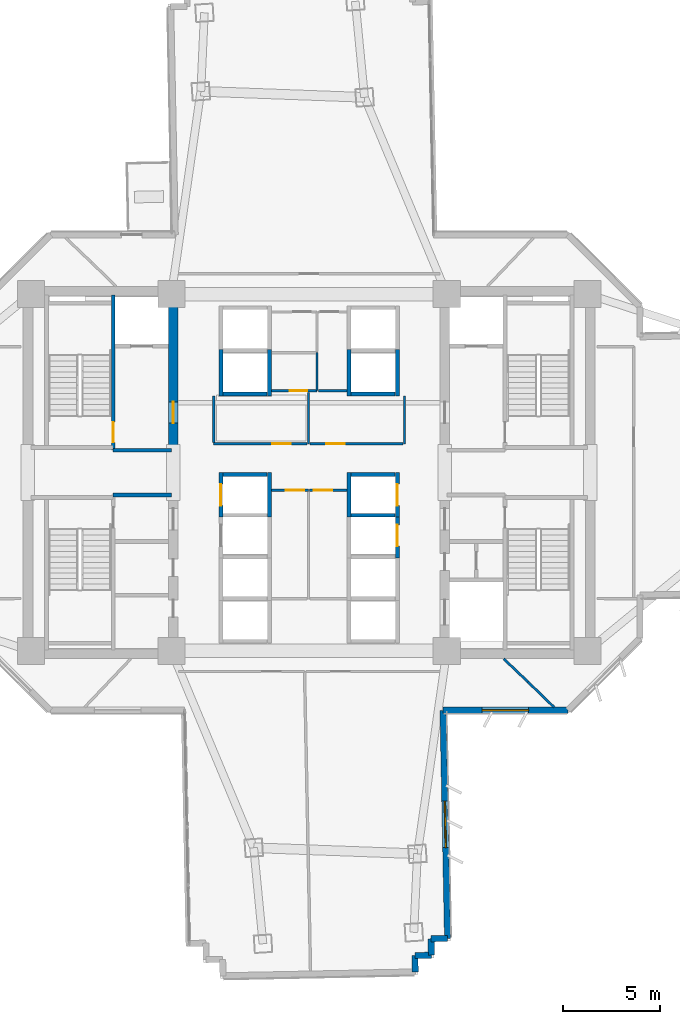
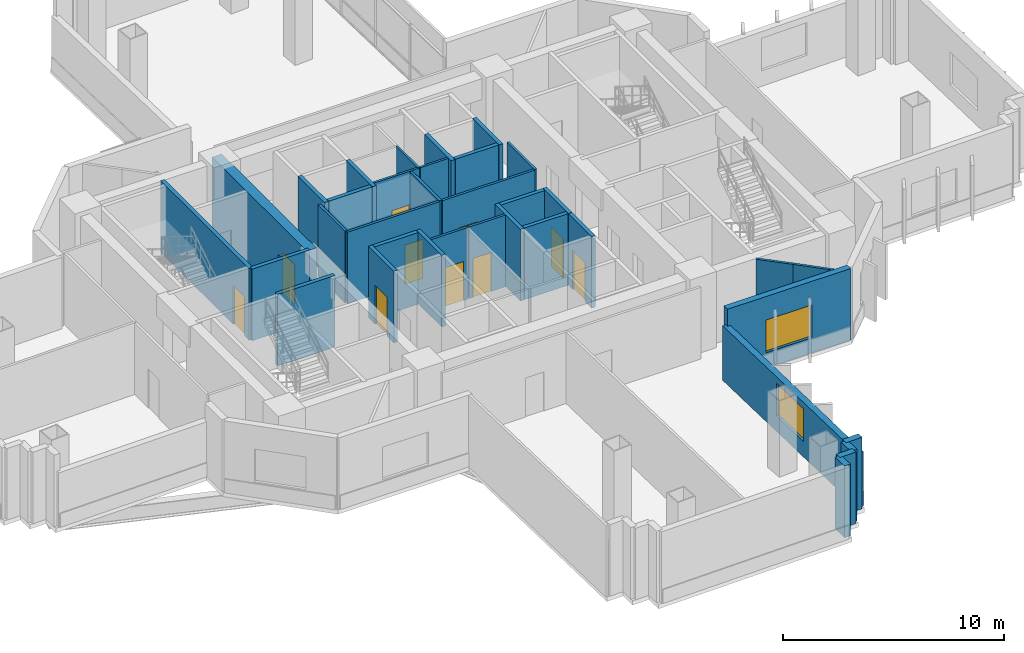
# One storey, part 7 of 15: 36 walls, 10 doors, 2 windows, 12 openings.
"""IFC4 building model written with IfcOpenShell, lengths in metres."""

from ifc_helpers import new_model, si_unit, direction, frame, frame_2d, origin, place, context, subcontext, project, spatial, rectangle, extrude, source, transform, mapped, material, layer, layer_set, type_object, element, fill, save


model = new_model("IFC4")

# Units and contexts
model_context = context("Model", 3, precision=1e-05, world=origin(), true_north=direction((0.0, 1.0)))
body_context = subcontext(model_context, "Body", "Model", "MODEL_VIEW")
ifc_project = project(units=[si_unit("LENGTHUNIT", "METRE"), si_unit("AREAUNIT", "SQUARE_METRE"), si_unit("VOLUMEUNIT", "CUBIC_METRE"), si_unit("PLANEANGLEUNIT", "RADIAN"), si_unit("MASSUNIT", "GRAM", prefix="KILO")], contexts=[model_context])

# Site, building, storey
site_placement = place(None, origin())
site = spatial("IfcSite", under=ifc_project, at=site_placement, CompositionType="ELEMENT")
building_placement = place(site_placement, origin())
building = spatial("IfcBuilding", under=site, at=building_placement, Name="Zahravan Cultural Tower", CompositionType="ELEMENT")
storey_placement = place(building_placement, frame((0.0, 0.0, 50.10009765625)))
storey = spatial("IfcBuildingStorey", under=building, at=storey_placement, Name="L10", CompositionType="ELEMENT", Elevation=50.10009765625)

# Wall, opening, door
ifc_material_1 = material(Name="Concrete C60/75", Category="concrete")
ifc_layer_1 = layer(ifc_material_1, 0.5)
ifc_layer_set_1 = layer_set([ifc_layer_1], Name="Concrete C60/75")
wall_type_1 = type_object("IfcWallType", Name="CW-SHEAR-500-C60", PredefinedType="SHEAR", material=ifc_layer_set_1)
wall_1_placement = place(storey_placement, frame((29.0, 28.050048828125, 0.0), z_axis=(0.0, 0.0, 1.0), x_axis=(0.0, 1.0, 0.0)))
wall_1 = element("IfcWall", 1, at=wall_1_placement, inside=storey, type_object=wall_type_1, Name="L10 Core Shear Wall CW-W-EN-L10", PredefinedType="SHEAR", context=body_context, shape_type="SweptSolid", body=[
    extrude(rectangle(XDim=8.550048828125, YDim=0.5, at=frame_2d((4.27490234375, 0.0))), origin(), (0.0, 0.0, 1.0), 3.949951171875),
])
opening_1_placement = place(wall_1_placement, frame((1.5, 0.0, 0.0)))
opening_1 = element("IfcOpeningElement", 2, at=opening_1_placement, cuts=wall_1, Name="Opening D-L10-05", PredefinedType="OPENING", context=body_context, shape_type="SweptSolid", body=[
    extrude(rectangle(XDim=1.10009765625, YDim=2.199951171875, at=frame_2d((0.550048828125, 1.10009765625))), frame((0.0, 0.260009765625, 0.0), z_axis=(0.0, -1.0, 0.0), x_axis=(1.0, 0.0, 0.0)), (0.0, 0.0, 1.0), 0.52001953125),
])
ifc_material_2 = material(Name="Steel ASTM A572 Grade 50", Category="steel")
door_type_1 = type_object("IfcDoorType", Name="DR-LOBBY-1100", OperationType="NOTDEFINED", PredefinedType="DOOR", material=ifc_material_2)
shared_shape_1 = source(origin(), body_context, "Body", "SweptSolid", [
    extrude(rectangle(XDim=1.10009765625, YDim=2.199951171875, at=frame_2d((0.550048828125, 1.10009765625))), frame((0.0, 0.02490234375, 0.0), z_axis=(0.0, -1.0, 0.0), x_axis=(1.0, 0.0, 0.0)), (0.0, 0.0, 1.0), 0.050048828125),
])
door_1_placement = place(opening_1_placement, origin())
door_1 = element("IfcDoor", 3, at=door_1_placement, inside=storey, type_object=door_type_1, Name="L10 Door D-L10-05", OperationType="SINGLE_SWING_RIGHT", OverallHeight=2.199951171875, OverallWidth=1.10009765625, PredefinedType="DOOR", context=body_context, shape_type="MappedRepresentation", body=[
    mapped(shared_shape_1, transform((0.0, 0.0, 0.0), x_axis=(1.0, 0.0, 0.0), y_axis=(0.0, 1.0, 0.0), z_axis=(0.0, 0.0, 1.0), scale=1.0)),
])
fill(opening_1, door_1)

# Wall, opening, window
ifc_material_3 = material(Name="Precast concrete C40/50", Category="concrete")
ifc_layer_2 = layer(ifc_material_3, 0.320068359375)
ifc_layer_set_2 = layer_set([ifc_layer_2], Name="Precast concrete C40/50")
wall_type_2 = type_object("IfcWallType", Name="EW-TC-320", PredefinedType="SOLIDWALL", material=ifc_layer_set_2)
wall_2_placement = place(storey_placement, frame((49.342041015625, 14.739990234375, 0.0), z_axis=(0.0, 0.0, 1.0), x_axis=(-1.0, 0.0, 0.0)))
wall_2 = element("IfcWall", 4, at=wall_2_placement, inside=storey, type_object=wall_type_2, Name="L10 Exterior Masonry Frame Wall 14", PredefinedType="SOLIDWALL", context=body_context, shape_type="SweptSolid", body=[
    extrude(rectangle(XDim=6.436767578125, YDim=0.320068359375, at=frame_2d((3.21826171875, 0.0))), origin(), (0.0, 0.0, 1.0), 3.949951171875),
])
opening_2_placement = place(wall_2_placement, frame((2.01806640625, 0.0, 0.85009765625)))
opening_2 = element("IfcOpeningElement", 5, at=opening_2_placement, cuts=wall_2, Name="Opening WN-01", PredefinedType="OPENING", context=body_context, shape_type="SweptSolid", body=[
    extrude(rectangle(XDim=2.39990234375, YDim=1.800048828125, at=frame_2d((1.199951171875, 0.89990234375))), frame((0.0, 0.169921875, 0.0), z_axis=(0.0, -1.0, 0.0), x_axis=(1.0, 0.0, 0.0)), (0.0, 0.0, 1.0), 0.340087890625),
])
ifc_material_4 = material(Name="Low-E solar-control double glazing", Category="glass")
window_type = type_object("IfcWindowType", Name="WN-REC-2400X1800", PartitioningType="DOUBLE_PANEL_VERTICAL", PredefinedType="WINDOW", material=ifc_material_4)
shared_shape_2 = source(origin(), body_context, "Body", "SweptSolid", [
    extrude(rectangle(XDim=2.39990234375, YDim=1.800048828125, at=frame_2d((1.199951171875, 0.89990234375))), frame((0.0, 0.030029296875, 0.0), z_axis=(0.0, -1.0, 0.0), x_axis=(1.0, 0.0, 0.0)), (0.0, 0.0, 1.0), 0.06005859375),
])
window_1_placement = place(opening_2_placement, origin())
window_1 = element("IfcWindow", 6, at=window_1_placement, inside=storey, type_object=window_type, Name="L10 Recessed Solar Window 05", OverallHeight=1.800048828125, OverallWidth=2.39990234375, PartitioningType="DOUBLE_PANEL_VERTICAL", PredefinedType="WINDOW", context=body_context, shape_type="MappedRepresentation", body=[
    mapped(shared_shape_2, transform((0.0, 0.0, 0.0), x_axis=(1.0, 0.0, 0.0), y_axis=(0.0, 1.0, 0.0), z_axis=(0.0, 0.0, 1.0), scale=1.0)),
])
fill(opening_2, window_1)

wall_3_placement = place(storey_placement, frame((42.9052734375, 14.739990234375, 0.0), z_axis=(0.0, 0.0, 1.0), x_axis=(0.019900582882, -0.999801963791, 0.0)))
wall_3 = element("IfcWall", 7, at=wall_3_placement, inside=storey, type_object=wall_type_2, Name="L10 Exterior Masonry Frame Wall 15", PredefinedType="SOLIDWALL", context=body_context, shape_type="SweptSolid", body=[
    extrude(rectangle(XDim=11.76513671875, YDim=0.320068359375, at=frame_2d((5.882568359375, 0.0))), origin(), (0.0, 0.0, 1.0), 3.010009765625),
])
opening_3_placement = place(wall_3_placement, frame((4.68310546875, 0.0, 0.85009765625)))
opening_3 = element("IfcOpeningElement", 8, at=opening_3_placement, cuts=wall_3, Name="Opening WN-01", PredefinedType="OPENING", context=body_context, shape_type="SweptSolid", body=[
    extrude(rectangle(XDim=2.39990234375, YDim=1.800048828125, at=frame_2d((1.199951171875, 0.89990234375))), frame((0.0, 0.169921875, 0.0), z_axis=(0.0, -1.0, 0.0), x_axis=(1.0, 0.0, 0.0)), (0.0, 0.0, 1.0), 0.340087890625),
])
window_2_placement = place(opening_3_placement, origin())
window_2 = element("IfcWindow", 9, at=window_2_placement, inside=storey, type_object=window_type, Name="L10 Recessed Solar Window 06", OverallHeight=1.800048828125, OverallWidth=2.39990234375, PartitioningType="DOUBLE_PANEL_VERTICAL", PredefinedType="WINDOW", context=body_context, shape_type="MappedRepresentation", body=[
    mapped(shared_shape_2, transform((0.0, 0.0, 0.0), x_axis=(1.0, 0.0, 0.0), y_axis=(0.0, 1.0, 0.0), z_axis=(0.0, 0.0, 1.0), scale=1.0)),
])
fill(opening_3, window_2)

# Wall, opening, door
ifc_material_5 = material(Name="Gypsum plasterboard partition")
ifc_layer_3 = layer(ifc_material_5, 0.125)
ifc_layer_set_3 = layer_set([ifc_layer_3], Name="Gypsum plasterboard partition")
wall_type_3 = type_object("IfcWallType", Name="W-PART-125", PredefinedType="PARTITIONING", material=ifc_layer_set_3)
wall_4_placement = place(storey_placement, frame((34.054931640625, 26.080078125, 0.0), z_axis=(0.0, 0.0, 1.0), x_axis=(1.0, 0.0, 0.0)))
wall_4 = element("IfcWall", 10, at=wall_4_placement, inside=storey, type_object=wall_type_3, Name="L10 Interior Wall 075", PredefinedType="PARTITIONING", context=body_context, shape_type="SweptSolid", body=[
    extrude(rectangle(XDim=1.9150390625, YDim=0.125, at=frame_2d((0.95751953125, 0.0))), origin(), (0.0, 0.0, 1.0), 3.949951171875),
])
opening_4_placement = place(wall_4_placement, frame((0.752685546875, 0.0, 0.0)))
opening_4 = element("IfcOpeningElement", 11, at=opening_4_placement, cuts=wall_4, Name="Opening D-L10-15", PredefinedType="OPENING", context=body_context, shape_type="SweptSolid", body=[
    extrude(rectangle(XDim=0.949951171875, YDim=2.14990234375, at=frame_2d((0.47509765625, 1.074951171875))), frame((0.0, 0.072509765625, 0.0), z_axis=(0.0, -1.0, 0.0), x_axis=(1.0, 0.0, 0.0)), (0.0, 0.0, 1.0), 0.14501953125),
])
ifc_material_6 = material(Name="Anodised bronze-aluminium mullion", Category="aluminium")
door_type_2 = type_object("IfcDoorType", Name="DR-ROOM-950", OperationType="NOTDEFINED", PredefinedType="DOOR", material=ifc_material_6)
shared_shape_3 = source(origin(), body_context, "Body", "SweptSolid", [
    extrude(rectangle(XDim=0.949951171875, YDim=2.14990234375, at=frame_2d((0.47509765625, 1.074951171875))), frame((0.0, 0.02490234375, 0.0), z_axis=(0.0, -1.0, 0.0), x_axis=(1.0, 0.0, 0.0)), (0.0, 0.0, 1.0), 0.050048828125),
])
door_2_placement = place(opening_4_placement, origin())
door_2 = element("IfcDoor", 12, at=door_2_placement, inside=storey, type_object=door_type_2, Name="L10 Door D-L10-15", OperationType="SINGLE_SWING_RIGHT", OverallHeight=2.14990234375, OverallWidth=0.949951171875, PredefinedType="DOOR", context=body_context, shape_type="MappedRepresentation", body=[
    mapped(shared_shape_3, transform((0.0, 0.0, 0.0), x_axis=(1.0, 0.0, 0.0), y_axis=(0.0, 1.0, 0.0), z_axis=(0.0, 0.0, 1.0), scale=1.0)),
])
fill(opening_4, door_2)

wall_5_placement = place(storey_placement, frame((36.030029296875, 26.080078125, 0.0), z_axis=(0.0, 0.0, 1.0), x_axis=(1.0, 0.0, 0.0)))
wall_5 = element("IfcWall", 13, at=wall_5_placement, inside=storey, type_object=wall_type_3, Name="L10 Interior Wall 078", PredefinedType="PARTITIONING", context=body_context, shape_type="SweptSolid", body=[
    extrude(rectangle(XDim=1.9150390625, YDim=0.125, at=frame_2d((0.95751953125, 0.0))), origin(), (0.0, 0.0, 1.0), 3.949951171875),
])
opening_5_placement = place(wall_5_placement, frame((0.21240234375, 0.0, 0.0)))
opening_5 = element("IfcOpeningElement", 14, at=opening_5_placement, cuts=wall_5, Name="Opening D-L10-16", PredefinedType="OPENING", context=body_context, shape_type="SweptSolid", body=[
    extrude(rectangle(XDim=0.949951171875, YDim=2.14990234375, at=frame_2d((0.47509765625, 1.074951171875))), frame((0.0, 0.072509765625, 0.0), z_axis=(0.0, -1.0, 0.0), x_axis=(1.0, 0.0, 0.0)), (0.0, 0.0, 1.0), 0.14501953125),
])
door_3_placement = place(opening_5_placement, origin())
door_3 = element("IfcDoor", 15, at=door_3_placement, inside=storey, type_object=door_type_2, Name="L10 Door D-L10-16", OperationType="SINGLE_SWING_LEFT", OverallHeight=2.14990234375, OverallWidth=0.949951171875, PredefinedType="DOOR", context=body_context, shape_type="MappedRepresentation", body=[
    mapped(shared_shape_3, transform((0.0, 0.0, 0.0), x_axis=(1.0, 0.0, 0.0), y_axis=(0.0, 1.0, 0.0), z_axis=(0.0, 0.0, 1.0), scale=1.0)),
])
fill(opening_5, door_3)

wall_6_placement = place(storey_placement, frame((35.902587890625, 28.47998046875, 0.0), z_axis=(0.0, 0.0, 1.0), x_axis=(-1.0, 0.0, 0.0)))
wall_6 = element("IfcWall", 16, at=wall_6_placement, inside=storey, type_object=wall_type_3, Name="L10 Interior Wall 081", PredefinedType="PARTITIONING", context=body_context, shape_type="SweptSolid", body=[
    extrude(rectangle(XDim=4.822509765625, YDim=0.125, at=frame_2d((2.4111328125, 0.0))), origin(), (0.0, 0.0, 1.0), 3.949951171875),
])
opening_6_placement = place(wall_6_placement, frame((0.85205078125, 0.0, 0.0)))
opening_6 = element("IfcOpeningElement", 17, at=opening_6_placement, cuts=wall_6, Name="Opening D-L10-17", PredefinedType="OPENING", context=body_context, shape_type="SweptSolid", body=[
    extrude(rectangle(XDim=0.949951171875, YDim=2.14990234375, at=frame_2d((0.47509765625, 1.074951171875))), frame((0.0, 0.072509765625, 0.0), z_axis=(0.0, -1.0, 0.0), x_axis=(1.0, 0.0, 0.0)), (0.0, 0.0, 1.0), 0.14501953125),
])
door_4_placement = place(opening_6_placement, origin())
door_4 = element("IfcDoor", 18, at=door_4_placement, inside=storey, type_object=door_type_2, Name="L10 Door D-L10-17", OperationType="SINGLE_SWING_RIGHT", OverallHeight=2.14990234375, OverallWidth=0.949951171875, PredefinedType="DOOR", context=body_context, shape_type="MappedRepresentation", body=[
    mapped(shared_shape_3, transform((0.0, 0.0, 0.0), x_axis=(1.0, 0.0, 0.0), y_axis=(0.0, 1.0, 0.0), z_axis=(0.0, 0.0, 1.0), scale=1.0)),
])
fill(opening_6, door_4)

wall_7_placement = place(storey_placement, frame((40.8525390625, 28.47998046875, 0.0), z_axis=(0.0, 0.0, 1.0), x_axis=(-1.0, 0.0, 0.0)))
wall_7 = element("IfcWall", 19, at=wall_7_placement, inside=storey, type_object=wall_type_3, Name="L10 Interior Wall 084", PredefinedType="PARTITIONING", context=body_context, shape_type="SweptSolid", body=[
    extrude(rectangle(XDim=4.81494140625, YDim=0.125, at=frame_2d((2.407470703125, 0.0))), origin(), (0.0, 0.0, 1.0), 3.949951171875),
])
opening_7_placement = place(wall_7_placement, frame((3.0146484375, 0.0, 0.0)))
opening_7 = element("IfcOpeningElement", 20, at=opening_7_placement, cuts=wall_7, Name="Opening D-L10-18", PredefinedType="OPENING", context=body_context, shape_type="SweptSolid", body=[
    extrude(rectangle(XDim=0.949951171875, YDim=2.14990234375, at=frame_2d((0.47509765625, 1.074951171875))), frame((0.0, 0.072509765625, 0.0), z_axis=(0.0, -1.0, 0.0), x_axis=(1.0, 0.0, 0.0)), (0.0, 0.0, 1.0), 0.14501953125),
])
door_5_placement = place(opening_7_placement, origin())
door_5 = element("IfcDoor", 21, at=door_5_placement, inside=storey, type_object=door_type_2, Name="L10 Door D-L10-18", OperationType="SINGLE_SWING_LEFT", OverallHeight=2.14990234375, OverallWidth=0.949951171875, PredefinedType="DOOR", context=body_context, shape_type="MappedRepresentation", body=[
    mapped(shared_shape_3, transform((0.0, 0.0, 0.0), x_axis=(1.0, 0.0, 0.0), y_axis=(0.0, 1.0, 0.0), z_axis=(0.0, 0.0, 1.0), scale=1.0)),
])
fill(opening_7, door_5)

ifc_material_7 = material(Name="Concrete C45/55", Category="concrete")
ifc_layer_4 = layer(ifc_material_7, 0.199951171875)
ifc_layer_set_4 = layer_set([ifc_layer_4], Name="Concrete C45/55")
wall_type_4 = type_object("IfcWallType", Name="W-SHAFT-200", PredefinedType="SOLIDWALL", material=ifc_layer_set_4)
wall_8_placement = place(storey_placement, frame((25.89990234375, 28.14990234375, 0.0), z_axis=(0.0, 0.0, 1.0), x_axis=(0.0, 1.0, 0.0)))
wall_8 = element("IfcWall", 22, at=wall_8_placement, inside=storey, type_object=wall_type_4, Name="L10 Interior Wall 006", PredefinedType="SOLIDWALL", context=body_context, shape_type="SweptSolid", body=[
    extrude(rectangle(XDim=8.0, YDim=0.199951171875, at=frame_2d((4.0, 0.0))), origin(), (0.0, 0.0, 1.0), 3.949951171875),
])
opening_8_placement = place(wall_8_placement, frame((0.39990234375, 0.0, 0.0)))
opening_8 = element("IfcOpeningElement", 23, at=opening_8_placement, cuts=wall_8, Name="Opening D-L10-01", PredefinedType="OPENING", context=body_context, shape_type="SweptSolid", body=[
    extrude(rectangle(XDim=1.050048828125, YDim=2.14990234375, at=frame_2d((0.52490234375, 1.074951171875))), frame((0.0, 0.10986328125, 0.0), z_axis=(0.0, -1.0, 0.0), x_axis=(1.0, 0.0, 0.0)), (0.0, 0.0, 1.0), 0.219970703125),
])
door_type_3 = type_object("IfcDoorType", Name="DR-STAIR-1050", OperationType="NOTDEFINED", PredefinedType="DOOR", material=ifc_material_2)
shared_shape_4 = source(origin(), body_context, "Body", "SweptSolid", [
    extrude(rectangle(XDim=1.050048828125, YDim=2.14990234375, at=frame_2d((0.52490234375, 1.074951171875))), frame((0.0, 0.02490234375, 0.0), z_axis=(0.0, -1.0, 0.0), x_axis=(1.0, 0.0, 0.0)), (0.0, 0.0, 1.0), 0.050048828125),
])
door_6_placement = place(opening_8_placement, origin())
door_6 = element("IfcDoor", 24, at=door_6_placement, inside=storey, type_object=door_type_3, Name="L10 Door D-L10-01", OperationType="SINGLE_SWING_RIGHT", OverallHeight=2.14990234375, OverallWidth=1.050048828125, PredefinedType="DOOR", context=body_context, shape_type="MappedRepresentation", body=[
    mapped(shared_shape_4, transform((0.0, 0.0, 0.0), x_axis=(1.0, 0.0, 0.0), y_axis=(0.0, 1.0, 0.0), z_axis=(0.0, 0.0, 1.0), scale=1.0)),
])
fill(opening_8, door_6)

wall_9_placement = place(storey_placement, frame((31.449951171875, 24.699951171875, 0.0), z_axis=(0.0, 0.0, 1.0), x_axis=(0.0, 1.0, 0.0)))
wall_9 = element("IfcWall", 25, at=wall_9_placement, inside=storey, type_object=wall_type_4, Name="L10 Interior Wall 056", PredefinedType="SOLIDWALL", context=body_context, shape_type="SweptSolid", body=[
    extrude(rectangle(XDim=2.300048828125, YDim=0.199951171875, at=frame_2d((1.14990234375, 0.0))), origin(), (0.0, 0.0, 1.0), 3.949951171875),
])
opening_9_placement = place(wall_9_placement, frame((0.60009765625, 0.0, 0.0)))
opening_9 = element("IfcOpeningElement", 26, at=opening_9_placement, cuts=wall_9, Name="Opening LD-L10-04", PredefinedType="OPENING", context=body_context, shape_type="SweptSolid", body=[
    extrude(rectangle(XDim=1.10009765625, YDim=2.14990234375, at=frame_2d((0.550048828125, 1.074951171875))), frame((0.0, 0.10986328125, 0.0), z_axis=(0.0, -1.0, 0.0), x_axis=(1.0, 0.0, 0.0)), (0.0, 0.0, 1.0), 0.219970703125),
])
door_type_4 = type_object("IfcDoorType", Name="DR-LIFT-1100", OperationType="DOUBLE_DOOR_SLIDING", PredefinedType="DOOR", material=ifc_material_2)
shared_shape_5 = source(origin(), body_context, "Body", "SweptSolid", [
    extrude(rectangle(XDim=1.10009765625, YDim=2.14990234375, at=frame_2d((0.550048828125, 1.074951171875))), frame((0.0, 0.02490234375, 0.0), z_axis=(0.0, -1.0, 0.0), x_axis=(1.0, 0.0, 0.0)), (0.0, 0.0, 1.0), 0.050048828125),
])
door_7_placement = place(opening_9_placement, origin())
door_7 = element("IfcDoor", 27, at=door_7_placement, inside=storey, type_object=door_type_4, Name="L10 Door LD-L10-04", OperationType="DOUBLE_DOOR_SLIDING", OverallHeight=2.14990234375, OverallWidth=1.10009765625, PredefinedType="DOOR", context=body_context, shape_type="MappedRepresentation", body=[
    mapped(shared_shape_5, transform((0.0, 0.0, 0.0), x_axis=(1.0, 0.0, 0.0), y_axis=(0.0, 1.0, 0.0), z_axis=(0.0, 0.0, 1.0), scale=1.0)),
])
fill(opening_9, door_7)

wall_10_placement = place(storey_placement, frame((40.550048828125, 24.699951171875, 0.0), z_axis=(0.0, 0.0, 1.0), x_axis=(0.0, 1.0, 0.0)))
wall_10 = element("IfcWall", 28, at=wall_10_placement, inside=storey, type_object=wall_type_4, Name="L10 Interior Wall 063", PredefinedType="SOLIDWALL", context=body_context, shape_type="SweptSolid", body=[
    extrude(rectangle(XDim=2.300048828125, YDim=0.199951171875, at=frame_2d((1.14990234375, 0.0))), origin(), (0.0, 0.0, 1.0), 3.949951171875),
])
opening_10_placement = place(wall_10_placement, frame((0.60009765625, 0.0, 0.0)))
opening_10 = element("IfcOpeningElement", 29, at=opening_10_placement, cuts=wall_10, Name="Opening LD-L10-06", PredefinedType="OPENING", context=body_context, shape_type="SweptSolid", body=[
    extrude(rectangle(XDim=1.10009765625, YDim=2.14990234375, at=frame_2d((0.550048828125, 1.074951171875))), frame((0.0, 0.10986328125, 0.0), z_axis=(0.0, -1.0, 0.0), x_axis=(1.0, 0.0, 0.0)), (0.0, 0.0, 1.0), 0.219970703125),
])
door_8_placement = place(opening_10_placement, origin())
door_8 = element("IfcDoor", 30, at=door_8_placement, inside=storey, type_object=door_type_4, Name="L10 Door LD-L10-06", OperationType="DOUBLE_DOOR_SLIDING", OverallHeight=2.14990234375, OverallWidth=1.10009765625, PredefinedType="DOOR", context=body_context, shape_type="MappedRepresentation", body=[
    mapped(shared_shape_5, transform((0.0, 0.0, 0.0), x_axis=(1.0, 0.0, 0.0), y_axis=(0.0, 1.0, 0.0), z_axis=(0.0, 0.0, 1.0), scale=1.0)),
])
fill(opening_10, door_8)

wall_11_placement = place(storey_placement, frame((40.550048828125, 22.60009765625, 0.0), z_axis=(0.0, 0.0, 1.0), x_axis=(0.0, 1.0, 0.0)))
wall_11 = element("IfcWall", 31, at=wall_11_placement, inside=storey, type_object=wall_type_4, Name="L10 Interior Wall 067", PredefinedType="SOLIDWALL", context=body_context, shape_type="SweptSolid", body=[
    extrude(rectangle(XDim=2.2998046875, YDim=0.199951171875, at=frame_2d((1.14990234375, 0.0))), origin(), (0.0, 0.0, 1.0), 3.949951171875),
])
opening_11_placement = place(wall_11_placement, frame((0.60009765625, 0.0, 0.0)))
opening_11 = element("IfcOpeningElement", 32, at=opening_11_placement, cuts=wall_11, Name="Opening LD-L10-07", PredefinedType="OPENING", context=body_context, shape_type="SweptSolid", body=[
    extrude(rectangle(XDim=1.10009765625, YDim=2.14990234375, at=frame_2d((0.550048828125, 1.074951171875))), frame((0.0, 0.10986328125, 0.0), z_axis=(0.0, -1.0, 0.0), x_axis=(1.0, 0.0, 0.0)), (0.0, 0.0, 1.0), 0.219970703125),
])
door_9_placement = place(opening_11_placement, origin())
door_9 = element("IfcDoor", 33, at=door_9_placement, inside=storey, type_object=door_type_4, Name="L10 Door LD-L10-07", OperationType="DOUBLE_DOOR_SLIDING", OverallHeight=2.14990234375, OverallWidth=1.10009765625, PredefinedType="DOOR", context=body_context, shape_type="MappedRepresentation", body=[
    mapped(shared_shape_5, transform((0.0, 0.0, 0.0), x_axis=(1.0, 0.0, 0.0), y_axis=(0.0, 1.0, 0.0), z_axis=(0.0, 0.0, 1.0), scale=1.0)),
])
fill(opening_11, door_9)

ifc_layer_5 = layer(ifc_material_5, 0.114990234375)
ifc_layer_set_5 = layer_set([ifc_layer_5], Name="Gypsum plasterboard partition")
wall_type_5 = type_object("IfcWallType", Name="W-WC-115", PredefinedType="PARTITIONING", material=ifc_layer_set_5)
wall_12_placement = place(storey_placement, frame((36.409912109375, 31.219970703125, 0.0), z_axis=(0.0, 0.0, 1.0), x_axis=(-1.0, 0.0, 0.0)))
wall_12 = element("IfcWall", 34, at=wall_12_placement, inside=storey, type_object=wall_type_5, Name="L10 Interior Wall 068", PredefinedType="PARTITIONING", context=body_context, shape_type="SweptSolid", body=[
    extrude(rectangle(XDim=2.35498046875, YDim=0.114990234375, at=frame_2d((1.177490234375, 0.0))), origin(), (0.0, 0.0, 1.0), 3.949951171875),
])
opening_12_placement = place(wall_12_placement, frame((0.5166015625, 0.0, 0.0)))
opening_12 = element("IfcOpeningElement", 35, at=opening_12_placement, cuts=wall_12, Name="Opening D-L10-25", PredefinedType="OPENING", context=body_context, shape_type="SweptSolid", body=[
    extrude(rectangle(XDim=0.89990234375, YDim=2.10009765625, at=frame_2d((0.449951171875, 1.050048828125))), frame((0.0, 0.0673828125, 0.0), z_axis=(0.0, -1.0, 0.0), x_axis=(1.0, 0.0, 0.0)), (0.0, 0.0, 1.0), 0.135009765625),
])
door_type_5 = type_object("IfcDoorType", Name="DR-WC-900", OperationType="NOTDEFINED", PredefinedType="DOOR", material=ifc_material_6)
shared_shape_6 = source(origin(), body_context, "Body", "SweptSolid", [
    extrude(rectangle(XDim=0.89990234375, YDim=2.10009765625, at=frame_2d((0.449951171875, 1.050048828125))), frame((0.0, 0.02490234375, 0.0), z_axis=(0.0, -1.0, 0.0), x_axis=(1.0, 0.0, 0.0)), (0.0, 0.0, 1.0), 0.050048828125),
])
door_10_placement = place(opening_12_placement, origin())
door_10 = element("IfcDoor", 36, at=door_10_placement, inside=storey, type_object=door_type_5, Name="L10 Door D-L10-25", OperationType="SINGLE_SWING_RIGHT", OverallHeight=2.10009765625, OverallWidth=0.89990234375, PredefinedType="DOOR", context=body_context, shape_type="MappedRepresentation", body=[
    mapped(shared_shape_6, transform((0.0, 0.0, 0.0), x_axis=(1.0, 0.0, 0.0), y_axis=(0.0, 1.0, 0.0), z_axis=(0.0, 0.0, 1.0), scale=1.0)),
])
fill(opening_12, door_10)

# Walls
shared_shape_7 = source(origin(), body_context, "Body", "SweptSolid", [
    extrude(rectangle(XDim=0.849853515625, YDim=0.320068359375, at=frame_2d((0.4248046875, 0.0))), origin(), (0.0, 0.0, 1.0), 3.949951171875),
])
wall_13_placement = place(storey_placement, frame((41.45654296875, 2.093505859375, 0.0), z_axis=(0.0, 0.0, 1.0), x_axis=(0.019823689915, -0.999803491351, 0.0)))
element("IfcWall", 37, at=wall_13_placement, inside=storey, type_object=wall_type_2, Name="L10 Exterior Masonry Frame Wall 19", PredefinedType="SOLIDWALL", context=body_context, shape_type="MappedRepresentation", body=[
    mapped(shared_shape_7, transform((0.0, 0.0, 0.0), x_axis=(1.0, 0.0, 0.0), y_axis=(0.0, 1.0, 0.0), z_axis=(0.0, 0.0, 1.0), scale=1.0)),
])
shared_shape_8 = source(origin(), body_context, "Body", "SweptSolid", [
    extrude(rectangle(XDim=0.85009765625, YDim=0.320068359375, at=frame_2d((0.425048828125, 0.0))), origin(), (0.0, 0.0, 1.0), 3.949951171875),
])
for number, where, z_axis, x_axis, name in (
    (38, (43.139404296875, 2.977294921875, 0.0), (0.0, 0.0, 1.0), (-0.999803604205, -0.019817997326, 0.0), "L10 Exterior Masonry Frame Wall 16"),
    (39, (42.28955078125, 2.96044921875, 0.0), (0.0, 0.0, 1.0), (0.019817997326, -0.999803604205, 0.0), "L10 Exterior Masonry Frame Wall 17"),
    (40, (42.306396484375, 2.110595703125, 0.0), (0.0, 0.0, 1.0), (-0.999797872061, -0.020105099409, 0.0), "L10 Exterior Masonry Frame Wall 18"),
):
    element("IfcWall", number, at=place(storey_placement, frame(where, z_axis=z_axis, x_axis=x_axis)), inside=storey, type_object=wall_type_2, Name=name, PredefinedType="SOLIDWALL", context=body_context, shape_type="MappedRepresentation", body=[
        mapped(shared_shape_8, transform((0.0, 0.0, 0.0), x_axis=(1.0, 0.0, 0.0), y_axis=(0.0, 1.0, 0.0), z_axis=(0.0, 0.0, 1.0), scale=1.0)),
    ])
shared_shape_9 = source(origin(), body_context, "Body", "SweptSolid", [
    extrude(rectangle(XDim=3.0, YDim=0.199951171875, at=frame_2d((1.5, 0.0))), origin(), (0.0, 0.0, 1.0), 3.949951171875),
])
for number, where, z_axis, x_axis, name in (
    (41, (25.89990234375, 25.85009765625, 0.0), (0.0, 0.0, 1.0), (1.0, 0.0, 0.0), "L10 Interior Wall 010"),
    (42, (25.89990234375, 28.14990234375, 0.0), (0.0, 0.0, 1.0), (1.0, 0.0, 0.0), "L10 Interior Wall 012"),
):
    element("IfcWall", number, at=place(storey_placement, frame(where, z_axis=z_axis, x_axis=x_axis)), inside=storey, type_object=wall_type_4, Name=name, PredefinedType="SOLIDWALL", context=body_context, shape_type="MappedRepresentation", body=[
        mapped(shared_shape_9, transform((0.0, 0.0, 0.0), x_axis=(1.0, 0.0, 0.0), y_axis=(0.0, 1.0, 0.0), z_axis=(0.0, 0.0, 1.0), scale=1.0)),
    ])
shared_shape_10 = source(origin(), body_context, "Body", "SweptSolid", [
    extrude(rectangle(XDim=2.400146484375, YDim=0.199951171875, at=frame_2d((1.2001953125, 0.0))), origin(), (0.0, 0.0, 1.0), 3.949951171875),
])
for number, where, z_axis, x_axis, name in (
    (43, (31.449951171875, 30.949951171875, 0.0), (0.0, 0.0, 1.0), (0.0, 1.0, 0.0), "L10 Interior Wall 032"),
    (44, (33.949951171875, 30.949951171875, 0.0), (0.0, 0.0, 1.0), (0.0, 1.0, 0.0), "L10 Interior Wall 033"),
    (45, (38.050048828125, 30.949951171875, 0.0), (0.0, 0.0, 1.0), (0.0, 1.0, 0.0), "L10 Interior Wall 039"),
    (46, (40.550048828125, 30.949951171875, 0.0), (0.0, 0.0, 1.0), (0.0, 1.0, 0.0), "L10 Interior Wall 040"),
):
    element("IfcWall", number, at=place(storey_placement, frame(where, z_axis=z_axis, x_axis=x_axis)), inside=storey, type_object=wall_type_4, Name=name, PredefinedType="SOLIDWALL", context=body_context, shape_type="MappedRepresentation", body=[
        mapped(shared_shape_10, transform((0.0, 0.0, 0.0), x_axis=(1.0, 0.0, 0.0), y_axis=(0.0, 1.0, 0.0), z_axis=(0.0, 0.0, 1.0), scale=1.0)),
    ])
shared_shape_11 = source(origin(), body_context, "Body", "SweptSolid", [
    extrude(rectangle(XDim=2.260009765625, YDim=0.199951171875, at=frame_2d((1.1298828125, 0.0))), origin(), (0.0, 0.0, 1.0), 3.949951171875),
])
for number, where, z_axis, x_axis, name in (
    (47, (31.570068359375, 31.050048828125, 0.0), (0.0, 0.0, 1.0), (1.0, 0.0, 0.0), "L10 Interior Wall 034"),
    (48, (38.169921875, 31.050048828125, 0.0), (0.0, 0.0, 1.0), (1.0, 0.0, 0.0), "L10 Interior Wall 041"),
    (49, (31.570068359375, 26.89990234375, 0.0), (0.0, 0.0, 1.0), (1.0, 0.0, 0.0), "L10 Interior Wall 059"),
    (50, (38.169921875, 24.800048828125, 0.0), (0.0, 0.0, 1.0), (1.0, 0.0, 0.0), "L10 Interior Wall 064"),
    (51, (38.169921875, 26.89990234375, 0.0), (0.0, 0.0, 1.0), (1.0, 0.0, 0.0), "L10 Interior Wall 065"),
):
    element("IfcWall", number, at=place(storey_placement, frame(where, z_axis=z_axis, x_axis=x_axis)), inside=storey, type_object=wall_type_4, Name=name, PredefinedType="SOLIDWALL", context=body_context, shape_type="MappedRepresentation", body=[
        mapped(shared_shape_11, transform((0.0, 0.0, 0.0), x_axis=(1.0, 0.0, 0.0), y_axis=(0.0, 1.0, 0.0), z_axis=(0.0, 0.0, 1.0), scale=1.0)),
    ])
shared_shape_12 = source(origin(), body_context, "Body", "SweptSolid", [
    extrude(rectangle(XDim=2.300048828125, YDim=0.199951171875, at=frame_2d((1.14990234375, 0.0))), origin(), (0.0, 0.0, 1.0), 3.949951171875),
])
for number, where, z_axis, x_axis, name in (
    (52, (33.949951171875, 24.699951171875, 0.0), (0.0, 0.0, 1.0), (0.0, 1.0, 0.0), "L10 Interior Wall 057"),
    (53, (38.050048828125, 24.699951171875, 0.0), (0.0, 0.0, 1.0), (0.0, 1.0, 0.0), "L10 Interior Wall 062"),
):
    element("IfcWall", number, at=place(storey_placement, frame(where, z_axis=z_axis, x_axis=x_axis)), inside=storey, type_object=wall_type_4, Name=name, PredefinedType="SOLIDWALL", context=body_context, shape_type="MappedRepresentation", body=[
        mapped(shared_shape_12, transform((0.0, 0.0, 0.0), x_axis=(1.0, 0.0, 0.0), y_axis=(0.0, 1.0, 0.0), z_axis=(0.0, 0.0, 1.0), scale=1.0)),
    ])
shared_shape_13 = source(origin(), body_context, "Body", "SweptSolid", [
    extrude(rectangle(XDim=1.9599609375, YDim=0.114990234375, at=frame_2d((0.97998046875, 0.0))), origin(), (0.0, 0.0, 1.0), 3.949951171875),
])
wall_14_placement = place(storey_placement, frame((36.409912109375, 33.179931640625, 0.0), z_axis=(0.0, 0.0, 1.0), x_axis=(0.0, -1.0, 0.0)))
element("IfcWall", 54, at=wall_14_placement, inside=storey, type_object=wall_type_5, Name="L10 Interior Wall 070", PredefinedType="PARTITIONING", context=body_context, shape_type="MappedRepresentation", body=[
    mapped(shared_shape_13, transform((0.0, 0.0, 0.0), x_axis=(1.0, 0.0, 0.0), y_axis=(0.0, 1.0, 0.0), z_axis=(0.0, 0.0, 1.0), scale=1.0)),
])
shared_shape_14 = source(origin(), body_context, "Body", "SweptSolid", [
    extrude(rectangle(XDim=1.47265625, YDim=0.114990234375, at=frame_2d((0.736328125, 0.0))), origin(), (0.0, 0.0, 1.0), 3.949951171875),
])
wall_15_placement = place(storey_placement, frame((37.945068359375, 31.219970703125, 0.0), z_axis=(0.0, 0.0, 1.0), x_axis=(-1.0, 0.0, 0.0)))
element("IfcWall", 55, at=wall_15_placement, inside=storey, type_object=wall_type_5, Name="L10 Interior Wall 073", PredefinedType="PARTITIONING", context=body_context, shape_type="MappedRepresentation", body=[
    mapped(shared_shape_14, transform((0.0, 0.0, 0.0), x_axis=(1.0, 0.0, 0.0), y_axis=(0.0, 1.0, 0.0), z_axis=(0.0, 0.0, 1.0), scale=1.0)),
])
shared_shape_15 = source(origin(), body_context, "Body", "SweptSolid", [
    extrude(rectangle(XDim=2.659912109375, YDim=0.125, at=frame_2d((1.330078125, 0.0))), origin(), (0.0, 0.0, 1.0), 3.949951171875),
])
wall_16_placement = place(storey_placement, frame((35.969970703125, 31.139892578125, 0.0), z_axis=(0.0, 0.0, 1.0), x_axis=(0.0, -1.0, 0.0)))
element("IfcWall", 56, at=wall_16_placement, inside=storey, type_object=wall_type_3, Name="L10 Interior Wall 080", PredefinedType="PARTITIONING", context=body_context, shape_type="MappedRepresentation", body=[
    mapped(shared_shape_15, transform((0.0, 0.0, 0.0), x_axis=(1.0, 0.0, 0.0), y_axis=(0.0, 1.0, 0.0), z_axis=(0.0, 0.0, 1.0), scale=1.0)),
])
shared_shape_16 = source(origin(), body_context, "Body", "SweptSolid", [
    extrude(rectangle(XDim=2.40234375, YDim=0.125, at=frame_2d((1.201171875, 0.0))), origin(), (0.0, 0.0, 1.0), 3.949951171875),
])
wall_17_placement = place(storey_placement, frame((31.080078125, 28.547607421875, 0.0), z_axis=(0.0, 0.0, 1.0), x_axis=(0.0, 1.0, 0.0)))
element("IfcWall", 57, at=wall_17_placement, inside=storey, type_object=wall_type_3, Name="L10 Interior Wall 082", PredefinedType="PARTITIONING", context=body_context, shape_type="MappedRepresentation", body=[
    mapped(shared_shape_16, transform((0.0, 0.0, 0.0), x_axis=(1.0, 0.0, 0.0), y_axis=(0.0, 1.0, 0.0), z_axis=(0.0, 0.0, 1.0), scale=1.0)),
])
shared_shape_17 = source(origin(), body_context, "Body", "SweptSolid", [
    extrude(rectangle(XDim=2.469970703125, YDim=0.125, at=frame_2d((1.23486328125, 0.0))), origin(), (0.0, 0.0, 1.0), 3.949951171875),
])
wall_18_placement = place(storey_placement, frame((40.919921875, 30.949951171875, 0.0), z_axis=(0.0, 0.0, 1.0), x_axis=(0.0, -1.0, 0.0)))
element("IfcWall", 58, at=wall_18_placement, inside=storey, type_object=wall_type_3, Name="L10 Interior Wall 083", PredefinedType="PARTITIONING", context=body_context, shape_type="MappedRepresentation", body=[
    mapped(shared_shape_17, transform((0.0, 0.0, 0.0), x_axis=(1.0, 0.0, 0.0), y_axis=(0.0, 1.0, 0.0), z_axis=(0.0, 0.0, 1.0), scale=1.0)),
])
shared_shape_18 = source(origin(), body_context, "Body", "SweptSolid", [
    extrude(rectangle(XDim=1.715087890625, YDim=0.125, at=frame_2d((0.857421875, 0.0))), origin(), (0.0, 0.0, 1.0), 3.949951171875),
])
wall_19_placement = place(storey_placement, frame((46.033935546875, 17.39501953125, 0.0), z_axis=(0.0, 0.0, 1.0), x_axis=(0.724259786069, -0.689527201989, 0.0)))
element("IfcWall", 59, at=wall_19_placement, inside=storey, type_object=wall_type_3, Name="L10 Interior Wall 097", PredefinedType="PARTITIONING", context=body_context, shape_type="MappedRepresentation", body=[
    mapped(shared_shape_18, transform((0.0, 0.0, 0.0), x_axis=(1.0, 0.0, 0.0), y_axis=(0.0, 1.0, 0.0), z_axis=(0.0, 0.0, 1.0), scale=1.0)),
])
shared_shape_19 = source(origin(), body_context, "Body", "SweptSolid", [
    extrude(rectangle(XDim=1.877685546875, YDim=0.125, at=frame_2d((0.93896484375, 0.0))), origin(), (0.0, 0.0, 1.0), 3.949951171875),
])
wall_20_placement = place(storey_placement, frame((47.276123046875, 16.21240234375, 0.0), z_axis=(0.0, 0.0, 1.0), x_axis=(0.717752688518, -0.696298124459, 0.0)))
element("IfcWall", 60, at=wall_20_placement, inside=storey, type_object=wall_type_3, Name="L10 Interior Wall 098", PredefinedType="PARTITIONING", context=body_context, shape_type="MappedRepresentation", body=[
    mapped(shared_shape_19, transform((0.0, 0.0, 0.0), x_axis=(1.0, 0.0, 0.0), y_axis=(0.0, 1.0, 0.0), z_axis=(0.0, 0.0, 1.0), scale=1.0)),
])

save(model, "model.ifc")
